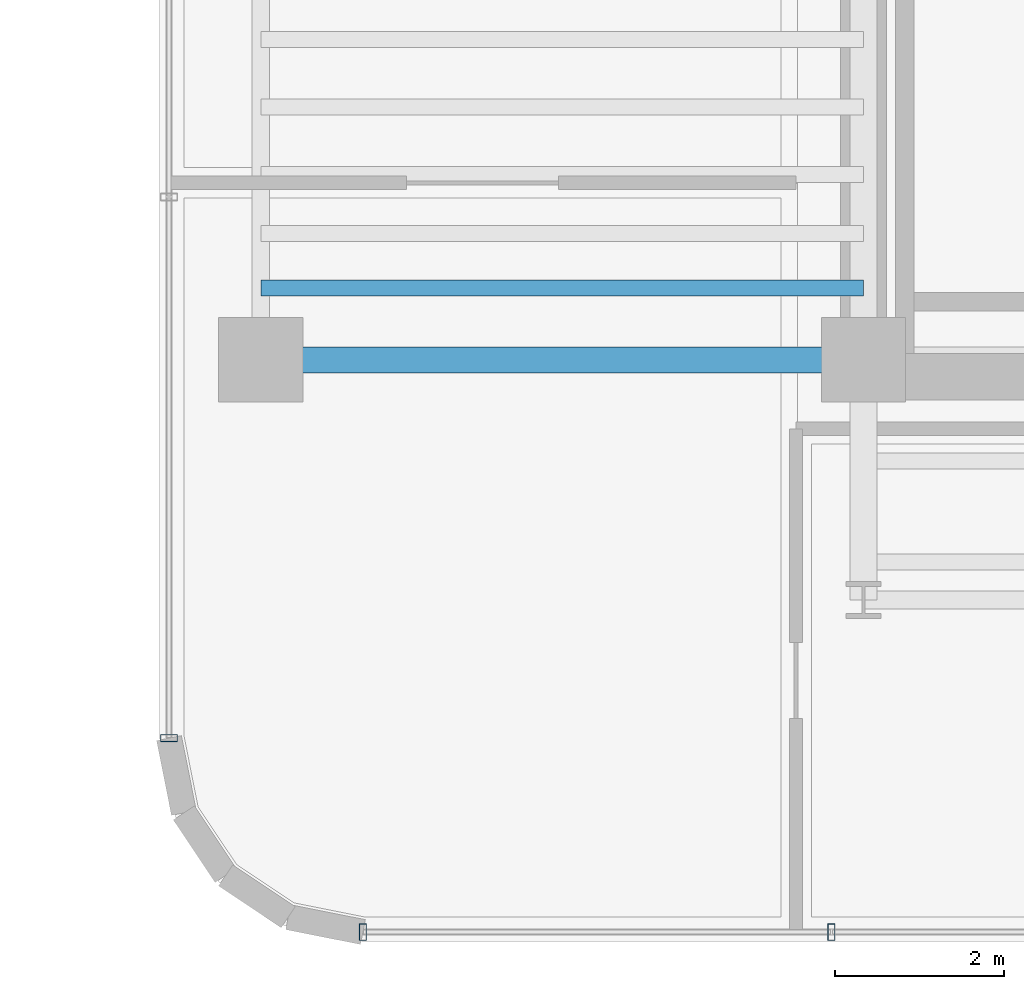
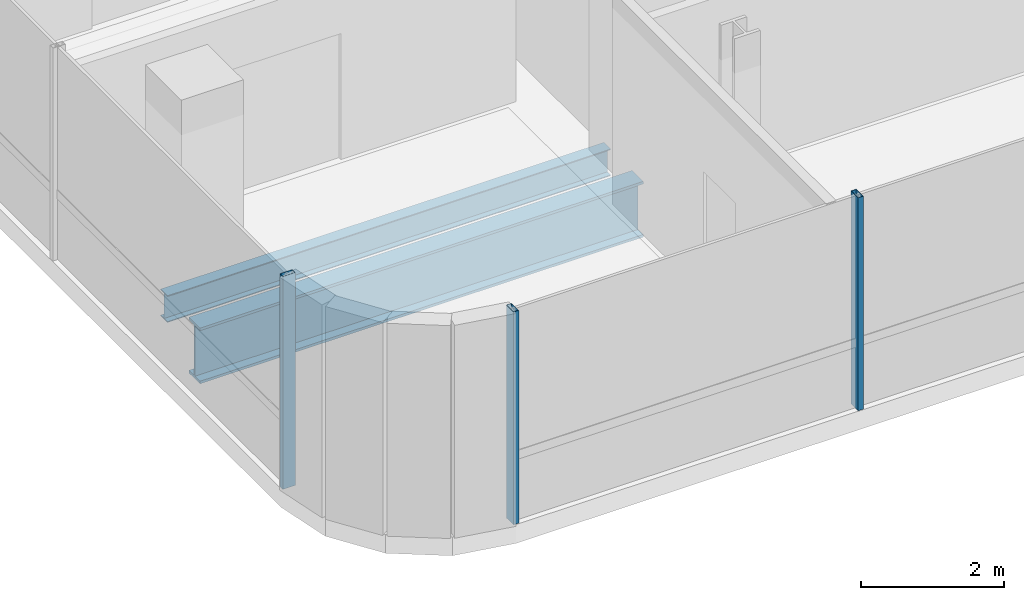
# One storey, part 2 of 37: 3 members, 2 beams, 2 elements without a shape of their own.
"""IFC4 building model written with IfcOpenShell, lengths in metres."""

from ifc_helpers import new_model, si_unit, direction, frame, origin, origin_2d, place, context, subcontext, project, spatial, hollow_rectangle, i_section, extrude, source, transform, mapped, material, material_profile, profile_set, type_object, element, aggregate, save


model = new_model("IFC4")

# Units and contexts
model_context = context("Model", 3, precision=1e-05, world=origin(), true_north=direction((0.0, 1.0)))
body_context = subcontext(model_context, "Body", "Model", "MODEL_VIEW")
ifc_project = project(units=[si_unit("LENGTHUNIT", "METRE"), si_unit("AREAUNIT", "SQUARE_METRE"), si_unit("VOLUMEUNIT", "CUBIC_METRE"), si_unit("PLANEANGLEUNIT", "RADIAN"), si_unit("MASSUNIT", "GRAM", prefix="KILO")], contexts=[model_context])

# Site, building, storey
site_placement = place(None, origin())
site = spatial("IfcSite", under=ifc_project, at=site_placement, CompositionType="ELEMENT")
building_placement = place(site_placement, origin())
building = spatial("IfcBuilding", under=site, at=building_placement, Name="Valdorenza Pilgrim Sanctuary Tower", CompositionType="ELEMENT")
storey_placement = place(building_placement, frame((0.0, 0.0, 188.39990234375)))
storey = spatial("IfcBuildingStorey", under=building, at=storey_placement, Name="L48", CompositionType="ELEMENT", Elevation=188.39990234375)

# Beams
ifc_material_1 = material(Name="Steel ASTM A992 Grade 50", Category="steel")
ifc_material_profile_1 = material_profile(ifc_material_1, i_section(OverallWidth=0.19091796875, OverallDepth=0.45703125, WebThickness=0.009033203125, FlangeThickness=0.014404296875, at=origin_2d()), Name="W18X50")
ifc_profile_set_1 = profile_set([ifc_material_profile_1], Name="Steel ASTM A992 Grade 50")
beam_type_1 = type_object("IfcBeamType", Name="STR-BM-JST-W18B", PredefinedType="JOIST", material=ifc_profile_set_1)
shared_shape_1 = source(origin(), body_context, "Body", "SweptSolid", [
    extrude(i_section(OverallWidth=0.19091796875, OverallDepth=0.45703125, WebThickness=0.009033203125, FlangeThickness=0.014404296875, at=origin_2d()), origin(), (0.0, 0.0, 1.0), 7.150146484375),
])
beam_1_placement = place(storey_placement, frame((-29.800048828125, -9.75, -0.54833984375), z_axis=(1.0, 0.0, 0.0), x_axis=(0.0, 1.0, 0.0)))
element("IfcBeam", 1, at=beam_1_placement, inside=storey, type_object=beam_type_1, Name="L48 Composite Floor Joist JST-WA-1", PredefinedType="JOIST", context=body_context, shape_type="MappedRepresentation", body=[
    mapped(shared_shape_1, transform((0.0, 0.0, 0.0), x_axis=(1.0, 0.0, 0.0), y_axis=(0.0, 1.0, 0.0), z_axis=(0.0, 0.0, 1.0), scale=1.0)),
])
ifc_material_profile_2 = material_profile(ifc_material_1, i_section(OverallWidth=0.31005859375, OverallDepth=0.949951171875, WebThickness=0.0244140625, FlangeThickness=0.0439453125, at=origin_2d()), Name="W36X256")
ifc_profile_set_2 = profile_set([ifc_material_profile_2], Name="Steel ASTM A992 Grade 50")
beam_type_2 = type_object("IfcBeamType", Name="STR-BM-GRD-W36B", PredefinedType="BEAM", material=ifc_profile_set_2)
shared_shape_2 = source(origin(), body_context, "Body", "SweptSolid", [
    extrude(i_section(OverallWidth=0.31005859375, OverallDepth=0.949951171875, WebThickness=0.0244140625, FlangeThickness=0.0439453125, at=origin_2d()), origin(), (0.0, 0.0, 1.0), 7.150146484375),
])
beam_2_placement = place(storey_placement, frame((-29.800048828125, -10.60009765625, -0.794921875), z_axis=(1.0, 0.0, 0.0), x_axis=(0.0, 1.0, 0.0)))
element("IfcBeam", 2, at=beam_2_placement, inside=storey, type_object=beam_type_2, Name="L48 Floor Girder WA-XW-S1", PredefinedType="BEAM", context=body_context, shape_type="MappedRepresentation", body=[
    mapped(shared_shape_2, transform((0.0, 0.0, 0.0), x_axis=(1.0, 0.0, 0.0), y_axis=(0.0, 1.0, 0.0), z_axis=(0.0, 0.0, 1.0), scale=1.0)),
])

# Curtain wall, member
ifc_material_2 = material(Name="Curtain-wall IGU glazing", Category="glass")
curtain_wall_type = type_object("IfcCurtainWallType", Name="CW-SYS-02", PredefinedType="NOTDEFINED", material=ifc_material_2)
curtain_wall_1_placement = place(storey_placement, origin())
curtain_wall_1 = element("IfcCurtainWall", 3, at=curtain_wall_1_placement, inside=storey, type_object=curtain_wall_type, Name="L48 Curtain Wall CW-L48-1-1S1", PredefinedType="NOTDEFINED")
ifc_material_3 = material(Name="Anodised aluminium AW-6060", Category="aluminium")
ifc_material_profile_3 = material_profile(ifc_material_3, hollow_rectangle(XDim=0.0849609375, YDim=0.199951171875, WallThickness=0.0048828125, at=origin_2d()), Name="ALU-M 200x85x5")
ifc_profile_set_3 = profile_set([ifc_material_profile_3], Name="Anodised aluminium AW-6060")
member_type = type_object("IfcMemberType", Name="CW-MUL-02", PredefinedType="MULLION", material=ifc_profile_set_3)
shared_shape_3 = source(origin(), body_context, "Body", "SweptSolid", [
    extrude(hollow_rectangle(XDim=0.0849609375, YDim=0.199951171875, WallThickness=0.0048828125, at=origin_2d()), origin(), (0.0, 0.0, 1.0), 3.630126953125),
])
member_1_placement = place(storey_placement, frame((-30.889892578125, -15.089111328125, 0.0), z_axis=(0.0, 0.0, 1.0), x_axis=(0.0, 1.0, 0.0)))
member_1 = element("IfcMember", 4, at=member_1_placement, type_object=member_type, Name="CW-L48-1-1S1 Mullion 1", PredefinedType="MULLION", context=body_context, shape_type="MappedRepresentation", body=[
    mapped(shared_shape_3, transform((0.0, 0.0, 0.0), x_axis=(1.0, 0.0, 0.0), y_axis=(0.0, 1.0, 0.0), z_axis=(0.0, 0.0, 1.0), scale=1.0)),
])
aggregate(curtain_wall_1, [member_1])

# Curtain wall, members
curtain_wall_2_placement = place(storey_placement, origin())
curtain_wall_2 = element("IfcCurtainWall", 5, at=curtain_wall_2_placement, inside=storey, type_object=curtain_wall_type, Name="L48 Curtain Wall CW-L48-1-82", PredefinedType="NOTDEFINED")
member_2_placement = place(storey_placement, frame((-23.02978515625, -17.389892578125, 0.0), z_axis=(0.0, 0.0, 1.0), x_axis=(-1.0, 0.0, 0.0)))
member_2 = element("IfcMember", 6, at=member_2_placement, type_object=member_type, Name="CW-L48-1-82 Mullion 3", PredefinedType="MULLION", context=body_context, shape_type="MappedRepresentation", body=[
    mapped(shared_shape_3, transform((0.0, 0.0, 0.0), x_axis=(1.0, 0.0, 0.0), y_axis=(0.0, 1.0, 0.0), z_axis=(0.0, 0.0, 1.0), scale=1.0)),
])
member_3_placement = place(storey_placement, frame((-28.589111328125, -17.389892578125, 0.0), z_axis=(0.0, 0.0, 1.0), x_axis=(-1.0, 0.0, 0.0)))
member_3 = element("IfcMember", 7, at=member_3_placement, type_object=member_type, Name="CW-L48-1-82 Mullion 4", PredefinedType="MULLION", context=body_context, shape_type="MappedRepresentation", body=[
    mapped(shared_shape_3, transform((0.0, 0.0, 0.0), x_axis=(1.0, 0.0, 0.0), y_axis=(0.0, 1.0, 0.0), z_axis=(0.0, 0.0, 1.0), scale=1.0)),
])
aggregate(curtain_wall_2, [member_2, member_3])

save(model, "model.ifc")
